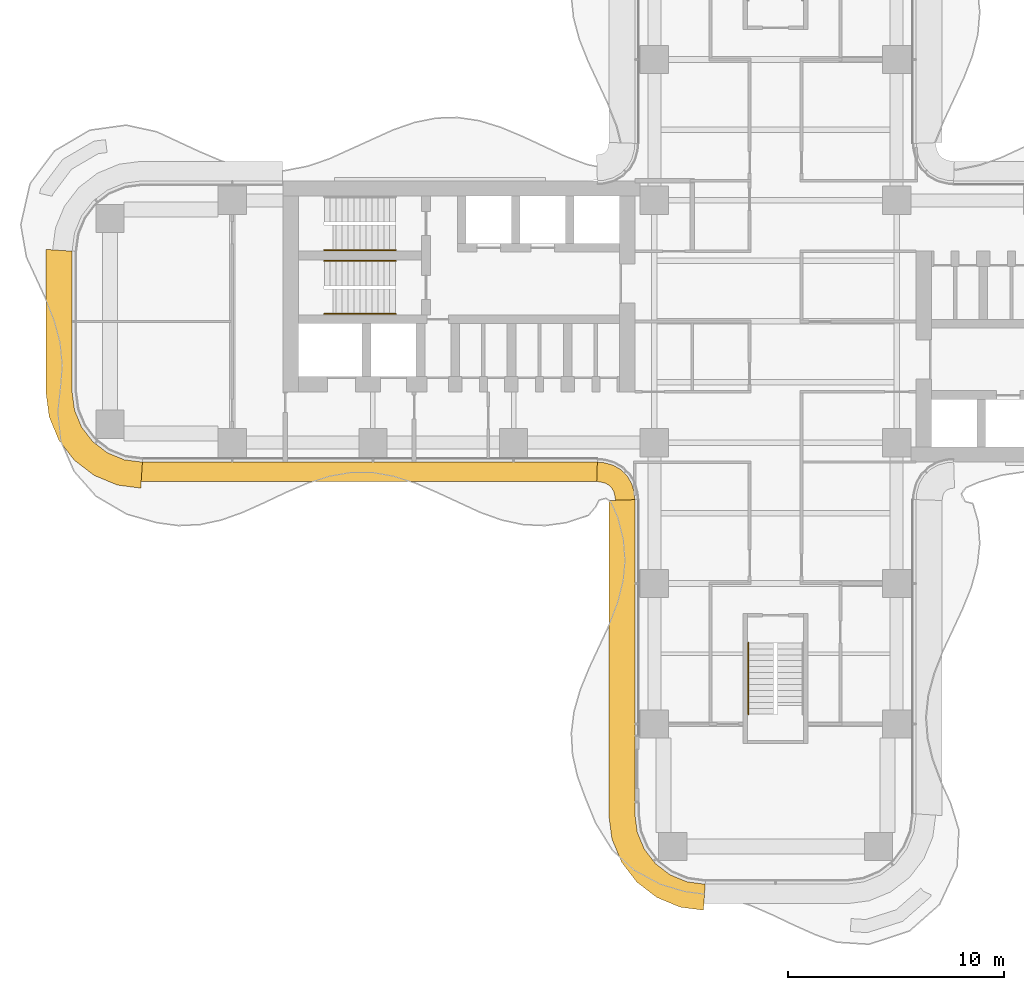
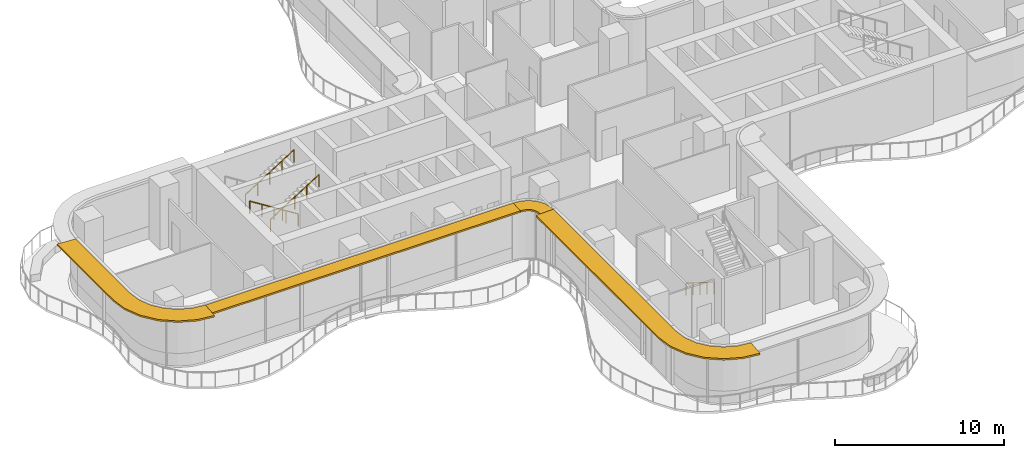
# One storey, part 20 of 21: 4 railings, 4 shading devices.
"""IFC4 building model written with IfcOpenShell, lengths in metres."""

from ifc_helpers import new_model, si_unit, direction, frame, origin, origin_2d, place, context, subcontext, project, spatial, polyline, circle, outline, extrude, source, transform, mapped, material, layer, layer_set, type_object, element, save


model = new_model("IFC4")

# Units and contexts
model_context = context("Model", 3, precision=1e-05, world=origin(), true_north=direction((0.0, 1.0)))
body_context = subcontext(model_context, "Body", "Model", "MODEL_VIEW")
ifc_project = project(units=[si_unit("LENGTHUNIT", "METRE"), si_unit("AREAUNIT", "SQUARE_METRE"), si_unit("VOLUMEUNIT", "CUBIC_METRE"), si_unit("PLANEANGLEUNIT", "RADIAN"), si_unit("MASSUNIT", "GRAM", prefix="KILO")], contexts=[model_context])

# Site, building, storey
site_placement = place(None, origin())
site = spatial("IfcSite", under=ifc_project, at=site_placement, CompositionType="ELEMENT")
building_placement = place(site_placement, origin())
building = spatial("IfcBuilding", under=site, at=building_placement, Name="Trellis Farm Tower", CompositionType="ELEMENT")
storey_placement = place(building_placement, frame((0.0, 0.0, 147.0)))
storey = spatial("IfcBuildingStorey", under=building, at=storey_placement, Name="L31", CompositionType="ELEMENT", Elevation=147.0)

# Railings
ifc_material_1 = material(Name="Stainless steel", Category="steel")
railing_type = type_object("IfcRailingType", Name="STAIR HANDRAIL 900", PredefinedType="HANDRAIL", material=ifc_material_1)
shared_shape_1 = source(origin(), body_context, "Body", "SweptSolid", [
    extrude(circle(Radius=0.02392578125, at=origin_2d()), frame((0.0, 0.0, 0.8759765625), z_axis=(0.0, -0.846319618018, 0.532675421018), x_axis=(1.0, 0.0, 0.0)), (0.0, 0.0, 1.0), 3.89892578125),
    extrude(circle(Radius=0.02099609375, at=origin_2d()), origin(), (0.0, 0.0, 1.0), 0.851806640625),
    extrude(circle(Radius=0.02099609375, at=origin_2d()), frame((0.0, -0.824951171875, 0.519287109375)), (0.0, 0.0, 1.0), 0.851806640625),
    extrude(circle(Radius=0.02099609375, at=origin_2d()), frame((0.0, -1.64990234375, 1.03857421875)), (0.0, 0.0, 1.0), 0.851806640625),
    extrude(circle(Radius=0.02099609375, at=origin_2d()), frame((0.0, -2.474853515625, 1.5576171875)), (0.0, 0.0, 1.0), 0.851806640625),
    extrude(circle(Radius=0.02099609375, at=origin_2d()), frame((0.0, -3.2998046875, 2.076904296875)), (0.0, 0.0, 1.0), 0.851806640625),
])
railing_1_placement = place(storey_placement, frame((-1.25, -14.85009765625, 0.173095703125)))
element("IfcRailing", 1, at=railing_1_placement, inside=storey, type_object=railing_type, Name="Stair handrail", PredefinedType="HANDRAIL", context=body_context, shape_type="MappedRepresentation", body=[
    mapped(shared_shape_1, transform((0.0, 0.0, 0.0))),
])
shared_shape_2 = source(origin(), body_context, "Body", "SweptSolid", [
    extrude(circle(Radius=0.02392578125, at=origin_2d()), frame((0.0, 0.0, 0.8759765625), z_axis=(0.846337383501, 0.0, 0.532647194011), x_axis=(0.0, 1.0, 0.0)), (0.0, 0.0, 1.0), 3.899169921875),
    extrude(circle(Radius=0.02099609375, at=origin_2d()), origin(), (0.0, 0.0, 1.0), 0.851806640625),
    extrude(circle(Radius=0.02099609375, at=origin_2d()), frame((0.824951171875, 0.0, 0.519287109375)), (0.0, 0.0, 1.0), 0.851806640625),
    extrude(circle(Radius=0.02099609375, at=origin_2d()), frame((1.64990234375, 0.0, 1.03857421875)), (0.0, 0.0, 1.0), 0.851806640625),
    extrude(circle(Radius=0.02099609375, at=origin_2d()), frame((2.47509765625, 0.0, 1.5576171875)), (0.0, 0.0, 1.0), 0.851806640625),
    extrude(circle(Radius=0.02099609375, at=origin_2d()), frame((3.300048828125, 0.0, 2.076904296875)), (0.0, 0.0, 1.0), 0.851806640625),
])
for number, where, name in (
    (2, (-20.85009765625, 3.300048828125, 2.423095703125), "Stair handrail"),
    (3, (-20.85009765625, 0.35009765625, 2.423095703125), "Stair handrail"),
):
    element("IfcRailing", number, at=place(storey_placement, frame(where)), inside=storey, type_object=railing_type, Name=name, PredefinedType="HANDRAIL", context=body_context, shape_type="MappedRepresentation", body=[
        mapped(shared_shape_2, transform((0.0, 0.0, 0.0))),
    ])
shared_shape_3 = source(origin(), body_context, "Body", "SweptSolid", [
    extrude(circle(Radius=0.02392578125, at=origin_2d()), frame((0.0, 0.0, 0.8759765625), z_axis=(-0.846337383501, 0.0, 0.532647194011), x_axis=(0.0, -1.0, 0.0)), (0.0, 0.0, 1.0), 3.899169921875),
    extrude(circle(Radius=0.02099609375, at=origin_2d()), origin(), (0.0, 0.0, 1.0), 0.851806640625),
    extrude(circle(Radius=0.02099609375, at=origin_2d()), frame((-0.824951171875, 0.0, 0.519287109375)), (0.0, 0.0, 1.0), 0.851806640625),
    extrude(circle(Radius=0.02099609375, at=origin_2d()), frame((-1.64990234375, 0.0, 1.03857421875)), (0.0, 0.0, 1.0), 0.851806640625),
    extrude(circle(Radius=0.02099609375, at=origin_2d()), frame((-2.47509765625, 0.0, 1.5576171875)), (0.0, 0.0, 1.0), 0.851806640625),
    extrude(circle(Radius=0.02099609375, at=origin_2d()), frame((-3.300048828125, 0.0, 2.076904296875)), (0.0, 0.0, 1.0), 0.851806640625),
])
railing_2_placement = place(storey_placement, frame((-17.550048828125, 2.800048828125, 0.173095703125)))
element("IfcRailing", 4, at=railing_2_placement, inside=storey, type_object=railing_type, Name="Stair handrail", PredefinedType="HANDRAIL", context=body_context, shape_type="MappedRepresentation", body=[
    mapped(shared_shape_3, transform((0.0, 0.0, 0.0))),
])

# Shading devices
ifc_material_2 = material(Name="Aluminium extrusion 6063-T6", Category="aluminium")
ifc_layer_1 = layer(ifc_material_2, 0.1201171875)
ifc_layer_set_1 = layer_set([ifc_layer_1], Name="SUNSHADE BLADE 900")
shading_device_type_1 = type_object("IfcShadingDeviceType", Name="SUNSHADE BLADE 900", PredefinedType="USERDEFINED", material=ifc_layer_set_1)
shared_shape_4 = source(origin(), body_context, "Body", "SweptSolid", [
    extrude(outline(polyline([(-29.30908203125, -7.39990234375), (-8.2607421875, -7.39990234375), (-8.2314453125, -6.5), (-29.25, -6.5), (-29.30908203125, -7.39990234375)])), origin(), (0.0, 0.0, 1.0), 0.119873046875),
])
placement = place(storey_placement, frame((0.0, 0.0, 4.090087890625)))
element("IfcShadingDevice", 5, at=placement, inside=storey, type_object=shading_device_type_1, Name="SD1 001", ObjectType="SUNSHADE", PredefinedType="USERDEFINED", context=body_context, shape_type="MappedRepresentation", body=[
    mapped(shared_shape_4, transform((0.0, 0.0, 0.0))),
])
shared_shape_5 = source(origin(), body_context, "Body", "SweptSolid", [
    extrude(outline(polyline([(-8.2607421875, -7.39990234375), (-8.107666015625, -7.409912109375), (-8.091552734375, -7.412109375), (-7.85595703125, -7.475341796875), (-7.697021484375, -7.567138671875), (-7.567138671875, -7.697021484375), (-7.475341796875, -7.85595703125), (-7.412109375, -8.091552734375), (-7.409912109375, -8.107666015625), (-7.39990234375, -8.2607421875), (-6.5, -8.2314453125), (-6.513916015625, -8.01953125), (-6.527587890625, -7.91552734375), (-6.63671875, -7.508544921875), (-6.846923828125, -7.144287109375), (-7.144287109375, -6.846923828125), (-7.508544921875, -6.63671875), (-7.91552734375, -6.527587890625), (-8.01953125, -6.513916015625), (-8.2314453125, -6.5), (-8.2607421875, -7.39990234375)])), origin(), (0.0, 0.0, 1.0), 0.119873046875),
])
element("IfcShadingDevice", 6, at=placement, inside=storey, type_object=shading_device_type_1, Name="SD1 002", ObjectType="SUNSHADE", PredefinedType="USERDEFINED", context=body_context, shape_type="MappedRepresentation", body=[
    mapped(shared_shape_5, transform((0.0, 0.0, 0.0))),
])
ifc_layer_2 = layer(ifc_material_2, 0.1201171875)
ifc_layer_set_2 = layer_set([ifc_layer_2], Name="SUNSHADE BLADE 1200")
shading_device_type_2 = type_object("IfcShadingDeviceType", Name="SUNSHADE BLADE 1200", PredefinedType="USERDEFINED", material=ifc_layer_set_2)
shared_shape_6 = source(origin(), body_context, "Body", "SweptSolid", [
    extrude(outline(polyline([(-33.699951171875, 3.32861328125), (-33.699951171875, -3.32861328125), (-33.558349609375, -4.404541015625), (-33.11279296875, -5.480224609375), (-32.404052734375, -6.404052734375), (-31.480224609375, -7.11279296875), (-30.404541015625, -7.558349609375), (-29.32861328125, -7.699951171875), (-29.25, -6.5), (-30.091064453125, -6.38916015625), (-30.875, -6.064697265625), (-31.548095703125, -5.548095703125), (-32.064697265625, -4.875), (-32.38916015625, -4.091064453125), (-32.5, -3.25), (-32.5, 3.25), (-33.699951171875, 3.32861328125)])), origin(), (0.0, 0.0, 1.0), 0.119873046875),
])
element("IfcShadingDevice", 7, at=placement, inside=storey, type_object=shading_device_type_2, Name="SD2 016", ObjectType="SUNSHADE", PredefinedType="USERDEFINED", context=body_context, shape_type="MappedRepresentation", body=[
    mapped(shared_shape_6, transform((0.0, 0.0, 0.0))),
])
shared_shape_7 = source(origin(), body_context, "Body", "SweptSolid", [
    extrude(outline(polyline([(-7.699951171875, -8.270751953125), (-7.699951171875, -22.82861328125), (-7.558349609375, -23.904541015625), (-7.11279296875, -24.980224609375), (-6.404052734375, -25.904052734375), (-5.480224609375, -26.61279296875), (-4.404541015625, -27.058349609375), (-3.32861328125, -27.199951171875), (-3.25, -26.0), (-4.091064453125, -25.88916015625), (-4.875, -25.564697265625), (-5.548095703125, -25.048095703125), (-6.064697265625, -24.375), (-6.38916015625, -23.591064453125), (-6.5, -22.75), (-6.5, -8.2314453125), (-7.699951171875, -8.270751953125)])), origin(), (0.0, 0.0, 1.0), 0.119873046875),
])
element("IfcShadingDevice", 8, at=placement, inside=storey, type_object=shading_device_type_2, Name="SD2 003", ObjectType="SUNSHADE", PredefinedType="USERDEFINED", context=body_context, shape_type="MappedRepresentation", body=[
    mapped(shared_shape_7, transform((0.0, 0.0, 0.0))),
])

save(model, "model.ifc")
